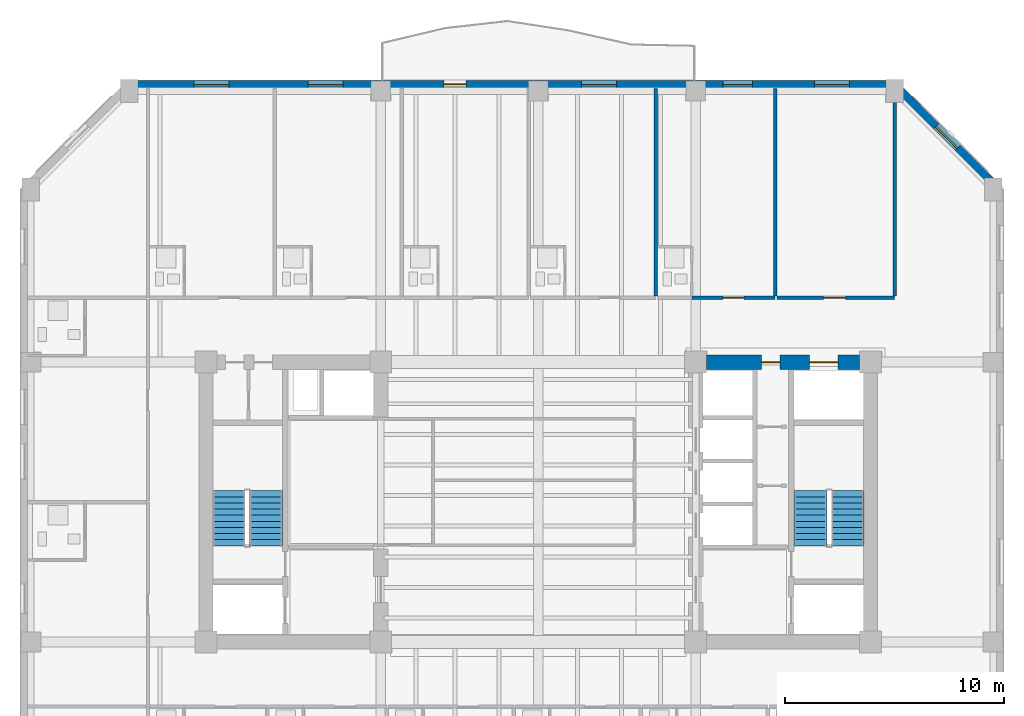
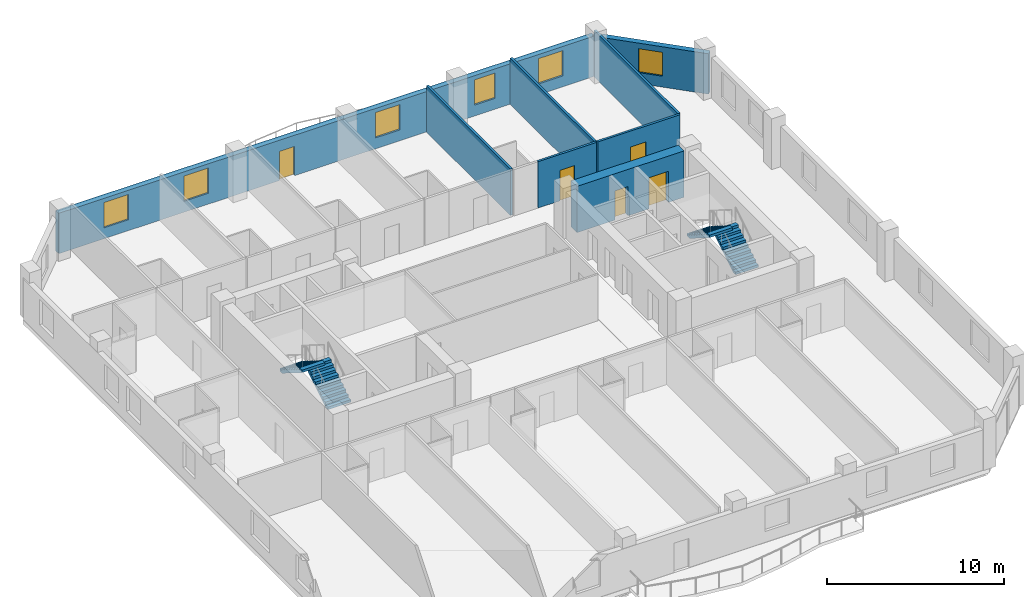
# One storey, part 6 of 11: 8 walls, 6 windows, 5 doors, 4 stair flights, 11 openings, 2 elements without a shape of their own.
"""IFC4 building model written with IfcOpenShell, lengths in metres."""

from ifc_helpers import new_model, si_unit, direction, frame, frame_2d, origin, place, context, subcontext, project, spatial, polyline, rectangle, outline, extrude, material, layer, layer_set, type_object, element, fill, aggregate, save


model = new_model("IFC4")

# Units and contexts
model_context = context("Model", 3, precision=1e-05, world=origin(), true_north=direction((0.0, 1.0)))
body_context = subcontext(model_context, "Body", "Model", "MODEL_VIEW")
ifc_project = project(units=[si_unit("LENGTHUNIT", "METRE"), si_unit("AREAUNIT", "SQUARE_METRE"), si_unit("VOLUMEUNIT", "CUBIC_METRE"), si_unit("PLANEANGLEUNIT", "RADIAN"), si_unit("MASSUNIT", "GRAM", prefix="KILO")], contexts=[model_context])

# Site, building, storey
site_placement = place(None, origin())
site = spatial("IfcSite", under=ifc_project, at=site_placement, CompositionType="ELEMENT")
building_placement = place(site_placement, origin())
building = spatial("IfcBuilding", under=site, at=building_placement, Name="Kranthara Brick Stack", CompositionType="ELEMENT")
storey_placement = place(building_placement, frame((0.0, 0.0, 134.300048828125)))
storey = spatial("IfcBuildingStorey", under=building, at=storey_placement, Name="L33", CompositionType="ELEMENT", Elevation=134.300048828125)

# Wall, openings, door, windows
ifc_material_1 = material(Name="Kiln-fired clay brick masonry M15", Category="masonry")
ifc_layer_1 = layer(ifc_material_1, 0.35009765625)
ifc_layer_set_1 = layer_set([ifc_layer_1], Name="Kiln-fired clay brick masonry M15")
wall_type_1 = type_object("IfcWallType", Name="WL-BRK-SPND-350", PredefinedType="STANDARD", material=ifc_layer_set_1)
wall_1_placement = place(storey_placement, frame((9.300048828125, 46.304931640625, 0.0), z_axis=(0.0, 0.0, 1.0), x_axis=(1.0, 0.0, 0.0)))
wall_1 = element("IfcWall", 1, at=wall_1_placement, inside=storey, type_object=wall_type_1, Name="L33 Exterior Brick Facade Wall NORTH 1", PredefinedType="STANDARD", context=body_context, shape_type="SweptSolid", body=[
    extrude(rectangle(XDim=35.0, YDim=0.35009765625, at=frame_2d((17.5, 0.0))), origin(), (0.0, 0.0, 1.0), 2.784912109375),
])
opening_1_placement = place(wall_1_placement, frame((14.39990234375, 0.0, 0.0)))
opening_1 = element("IfcOpeningElement", 2, at=opening_1_placement, cuts=wall_1, Name="Opening D03", PredefinedType="OPENING", context=body_context, shape_type="SweptSolid", body=[
    extrude(rectangle(XDim=1.0, YDim=2.02001953125, at=frame_2d((0.5, 1.010009765625))), frame((0.0, 0.18505859375, 0.0), z_axis=(0.0, -1.0, 0.0), x_axis=(1.0, 0.0, 0.0)), (0.0, 0.0, 1.0), 0.3701171875),
])
opening_2_placement = place(wall_1_placement, frame((2.952880859375, 0.0, 0.75)))
opening_2 = element("IfcOpeningElement", 3, at=opening_2_placement, cuts=wall_1, Name="Opening WN04", PredefinedType="OPENING", context=body_context, shape_type="SweptSolid", body=[
    extrude(rectangle(XDim=1.60009765625, YDim=1.75, at=frame_2d((0.800048828125, 0.875))), frame((0.0, 0.18505859375, 0.0), z_axis=(0.0, -1.0, 0.0), x_axis=(1.0, 0.0, 0.0)), (0.0, 0.0, 1.0), 0.3701171875),
])
opening_3_placement = place(wall_1_placement, frame((8.177978515625, 0.0, 0.75)))
opening_3 = element("IfcOpeningElement", 4, at=opening_3_placement, cuts=wall_1, Name="Opening WN04", PredefinedType="OPENING", context=body_context, shape_type="SweptSolid", body=[
    extrude(rectangle(XDim=1.60009765625, YDim=1.75, at=frame_2d((0.800048828125, 0.875))), frame((0.0, 0.18505859375, 0.0), z_axis=(0.0, -1.0, 0.0), x_axis=(1.0, 0.0, 0.0)), (0.0, 0.0, 1.0), 0.3701171875),
])
opening_4_placement = place(wall_1_placement, frame((20.68603515625, 0.0, 0.75)))
opening_4 = element("IfcOpeningElement", 5, at=opening_4_placement, cuts=wall_1, Name="Opening WN04", PredefinedType="OPENING", context=body_context, shape_type="SweptSolid", body=[
    extrude(rectangle(XDim=1.60009765625, YDim=1.75, at=frame_2d((0.800048828125, 0.875))), frame((0.0, 0.18505859375, 0.0), z_axis=(0.0, -1.0, 0.0), x_axis=(1.0, 0.0, 0.0)), (0.0, 0.0, 1.0), 0.3701171875),
])
opening_5_placement = place(wall_1_placement, frame((27.14306640625, 0.0, 0.75)))
opening_5 = element("IfcOpeningElement", 6, at=opening_5_placement, cuts=wall_1, Name="Opening WN06", PredefinedType="OPENING", context=body_context, shape_type="SweptSolid", body=[
    extrude(rectangle(XDim=1.35009765625, YDim=1.75, at=frame_2d((0.675048828125, 0.875))), frame((0.0, 0.18505859375, 0.0), z_axis=(0.0, -1.0, 0.0), x_axis=(1.0, 0.0, 0.0)), (0.0, 0.0, 1.0), 0.3701171875),
])
opening_6_placement = place(wall_1_placement, frame((31.330078125, 0.0, 0.75)))
opening_6 = element("IfcOpeningElement", 7, at=opening_6_placement, cuts=wall_1, Name="Opening WN04", PredefinedType="OPENING", context=body_context, shape_type="SweptSolid", body=[
    extrude(rectangle(XDim=1.60009765625, YDim=1.75, at=frame_2d((0.800048828125, 0.875))), frame((0.0, 0.18505859375, 0.0), z_axis=(0.0, -1.0, 0.0), x_axis=(1.0, 0.0, 0.0)), (0.0, 0.0, 1.0), 0.3701171875),
])
ifc_material_2 = material(Name="Bronze anodised aluminium and laminated glass", Category="aluminium")
door_type_1 = type_object("IfcDoorType", Name="DR-BALC-1000", OperationType="NOTDEFINED", PredefinedType="DOOR", material=ifc_material_2)
door_1_placement = place(opening_1_placement, origin())
door_1 = element("IfcDoor", 8, at=door_1_placement, inside=storey, type_object=door_type_1, Name="L33 North Balcony Terrace Door", OperationType="SINGLE_SWING_RIGHT", OverallHeight=2.02001953125, OverallWidth=1.0, PredefinedType="DOOR", context=body_context, shape_type="SweptSolid", body=[
    extrude(rectangle(XDim=1.0, YDim=2.02001953125, at=frame_2d((0.5, 1.010009765625))), frame((0.0, 0.02490234375, 0.0), z_axis=(0.0, -1.0, 0.0), x_axis=(1.0, 0.0, 0.0)), (0.0, 0.0, 1.0), 0.050048828125),
])
fill(opening_1, door_1)
ifc_material_3 = material(Name="Double-glazed low-E solar control glass", Category="glass")
window_type_1 = type_object("IfcWindowType", Name="WN-HTL-1350x1850", PartitioningType="SINGLE_PANEL", PredefinedType="WINDOW", material=ifc_material_3)
window_1_placement = place(opening_5_placement, origin())
window_1 = element("IfcWindow", 9, at=window_1_placement, inside=storey, type_object=window_type_1, Name="L33 North Deep-Set Brick Window 04", OverallHeight=1.75, OverallWidth=1.35009765625, PartitioningType="SINGLE_PANEL", PredefinedType="WINDOW", context=body_context, shape_type="SweptSolid", body=[
    extrude(rectangle(XDim=1.35009765625, YDim=1.75, at=frame_2d((0.675048828125, 0.875))), frame((0.0, -0.010009765625, 0.0), z_axis=(0.0, -1.0, 0.0), x_axis=(1.0, 0.0, 0.0)), (0.0, 0.0, 1.0), 0.06005859375),
])
fill(opening_5, window_1)
ifc_material_4 = material(Name="Double-glazed low-E solar control glass", Category="glass")
window_type_2 = type_object("IfcWindowType", Name="WN-HTL-1600x1850", PartitioningType="DOUBLE_PANEL_VERTICAL", PredefinedType="WINDOW", material=ifc_material_4)
window_2_placement = place(opening_2_placement, origin())
window_2 = element("IfcWindow", 10, at=window_2_placement, inside=storey, type_object=window_type_2, Name="L33 North Deep-Set Brick Window 01", OverallHeight=1.75, OverallWidth=1.60009765625, PartitioningType="SINGLE_PANEL", PredefinedType="WINDOW", context=body_context, shape_type="SweptSolid", body=[
    extrude(rectangle(XDim=1.60009765625, YDim=1.75, at=frame_2d((0.800048828125, 0.875))), frame((0.0, -0.010009765625, 0.0), z_axis=(0.0, -1.0, 0.0), x_axis=(1.0, 0.0, 0.0)), (0.0, 0.0, 1.0), 0.06005859375),
])
fill(opening_2, window_2)
window_3_placement = place(opening_3_placement, origin())
window_3 = element("IfcWindow", 11, at=window_3_placement, inside=storey, type_object=window_type_2, Name="L33 North Deep-Set Brick Window 02", OverallHeight=1.75, OverallWidth=1.60009765625, PartitioningType="SINGLE_PANEL", PredefinedType="WINDOW", context=body_context, shape_type="SweptSolid", body=[
    extrude(rectangle(XDim=1.60009765625, YDim=1.75, at=frame_2d((0.800048828125, 0.875))), frame((0.0, -0.010009765625, 0.0), z_axis=(0.0, -1.0, 0.0), x_axis=(1.0, 0.0, 0.0)), (0.0, 0.0, 1.0), 0.06005859375),
])
fill(opening_3, window_3)
window_4_placement = place(opening_4_placement, origin())
window_4 = element("IfcWindow", 12, at=window_4_placement, inside=storey, type_object=window_type_2, Name="L33 North Deep-Set Brick Window 03", OverallHeight=1.75, OverallWidth=1.60009765625, PartitioningType="SINGLE_PANEL", PredefinedType="WINDOW", context=body_context, shape_type="SweptSolid", body=[
    extrude(rectangle(XDim=1.60009765625, YDim=1.75, at=frame_2d((0.800048828125, 0.875))), frame((0.0, -0.010009765625, 0.0), z_axis=(0.0, -1.0, 0.0), x_axis=(1.0, 0.0, 0.0)), (0.0, 0.0, 1.0), 0.06005859375),
])
fill(opening_4, window_4)
window_5_placement = place(opening_6_placement, origin())
window_5 = element("IfcWindow", 13, at=window_5_placement, inside=storey, type_object=window_type_2, Name="L33 North Deep-Set Brick Window 05", OverallHeight=1.75, OverallWidth=1.60009765625, PartitioningType="SINGLE_PANEL", PredefinedType="WINDOW", context=body_context, shape_type="SweptSolid", body=[
    extrude(rectangle(XDim=1.60009765625, YDim=1.75, at=frame_2d((0.800048828125, 0.875))), frame((0.0, -0.010009765625, 0.0), z_axis=(0.0, -1.0, 0.0), x_axis=(1.0, 0.0, 0.0)), (0.0, 0.0, 1.0), 0.06005859375),
])
fill(opening_6, window_5)

# Wall, opening, window
wall_2_placement = place(storey_placement, frame((44.300048828125, 46.304931640625, 0.0), z_axis=(0.0, 0.0, 1.0), x_axis=(0.707106781187, -0.707106781187, 0.0)))
wall_2 = element("IfcWall", 14, at=wall_2_placement, inside=storey, type_object=wall_type_1, Name="L33 Exterior Brick Facade Wall NE 1", PredefinedType="STANDARD", context=body_context, shape_type="SweptSolid", body=[
    extrude(rectangle(XDim=6.795166015625, YDim=0.35009765625, at=frame_2d((3.3974609375, 0.0))), origin(), (0.0, 0.0, 1.0), 2.784912109375),
])
opening_7_placement = place(wall_2_placement, frame((2.697998046875, 0.0, 0.75)))
opening_7 = element("IfcOpeningElement", 15, at=opening_7_placement, cuts=wall_2, Name="Opening WN10", PredefinedType="OPENING", context=body_context, shape_type="SweptSolid", body=[
    extrude(rectangle(XDim=1.39990234375, YDim=1.64990234375, at=frame_2d((0.699951171875, 0.824951171875))), frame((0.0, 0.18505859375, 0.0), z_axis=(0.0, -1.0, 0.0), x_axis=(1.0, 0.0, 0.0)), (0.0, 0.0, 1.0), 0.3701171875),
])
ifc_material_5 = material(Name="Double-glazed low-E solar control glass", Category="glass")
window_type_3 = type_object("IfcWindowType", Name="WN-CHM-1400x1750", PartitioningType="SINGLE_PANEL", PredefinedType="WINDOW", material=ifc_material_5)
window_6_placement = place(opening_7_placement, origin())
window_6 = element("IfcWindow", 16, at=window_6_placement, inside=storey, type_object=window_type_3, Name="L33 NE Chamfer Corner Window", OverallHeight=1.64990234375, OverallWidth=1.39990234375, PartitioningType="SINGLE_PANEL", PredefinedType="WINDOW", context=body_context, shape_type="SweptSolid", body=[
    extrude(rectangle(XDim=1.39990234375, YDim=1.64990234375, at=frame_2d((0.699951171875, 0.824951171875))), frame((0.0, -0.010009765625, 0.0), z_axis=(0.0, -1.0, 0.0), x_axis=(1.0, 0.0, 0.0)), (0.0, 0.0, 1.0), 0.06005859375),
])
fill(opening_7, window_6)

# Wall, openings, doors
ifc_material_6 = material(Name="Concrete C60/75", Category="concrete")
ifc_layer_2 = layer(ifc_material_6, 0.64990234375)
ifc_layer_set_2 = layer_set([ifc_layer_2], Name="Concrete C60/75")
wall_type_2 = type_object("IfcWallType", Name="WL-CORE-650", PredefinedType="SHEAR", material=ifc_layer_set_2)
wall_3_placement = place(storey_placement, frame((35.705078125, 33.60009765625, 0.0), z_axis=(0.0, 0.0, 1.0), x_axis=(1.0, 0.0, 0.0)))
wall_3 = element("IfcWall", 17, at=wall_3_placement, inside=storey, type_object=wall_type_2, Name="L33 East Core Shear Wall North", PredefinedType="SHEAR", context=body_context, shape_type="SweptSolid", body=[
    extrude(rectangle(XDim=6.989990234375, YDim=0.64990234375, at=frame_2d((3.4951171875, 0.0))), origin(), (0.0, 0.0, 1.0), 3.199951171875),
])
opening_8_placement = place(wall_3_placement, frame((4.695068359375, 0.0, 0.0)))
opening_8 = element("IfcOpeningElement", 18, at=opening_8_placement, cuts=wall_3, Name="Opening LD03", PredefinedType="OPENING", context=body_context, shape_type="SweptSolid", body=[
    extrude(rectangle(XDim=1.300048828125, YDim=2.14990234375, at=frame_2d((0.64990234375, 1.074951171875))), frame((0.0, 0.3349609375, 0.0), z_axis=(0.0, -1.0, 0.0), x_axis=(1.0, 0.0, 0.0)), (0.0, 0.0, 1.0), 0.669921875),
])
opening_9_placement = place(wall_3_placement, frame((2.4951171875, 0.0, 0.0)))
opening_9 = element("IfcOpeningElement", 19, at=opening_9_placement, cuts=wall_3, Name="Opening D10", PredefinedType="OPENING", context=body_context, shape_type="SweptSolid", body=[
    extrude(rectangle(XDim=0.85009765625, YDim=2.02001953125, at=frame_2d((0.425048828125, 1.010009765625))), frame((0.0, 0.3349609375, 0.0), z_axis=(0.0, -1.0, 0.0), x_axis=(1.0, 0.0, 0.0)), (0.0, 0.0, 1.0), 0.669921875),
])
ifc_material_7 = material(Name="Stainless steel sliding landing door", Category="steel")
door_type_2 = type_object("IfcDoorType", Name="DR-LD-SV1300", OperationType="DOUBLE_DOOR_SLIDING", PredefinedType="DOOR", material=ifc_material_7)
door_2_placement = place(opening_8_placement, origin())
door_2 = element("IfcDoor", 20, at=door_2_placement, inside=storey, type_object=door_type_2, Name="L33 Stretcher Service Lift SV-01 Landing Door", OperationType="DOUBLE_DOOR_SLIDING", OverallHeight=2.14990234375, OverallWidth=1.300048828125, PredefinedType="DOOR", context=body_context, shape_type="SweptSolid", body=[
    extrude(rectangle(XDim=1.300048828125, YDim=2.14990234375, at=frame_2d((0.64990234375, 1.074951171875))), frame((0.0, 0.02490234375, 0.0), z_axis=(0.0, -1.0, 0.0), x_axis=(1.0, 0.0, 0.0)), (0.0, 0.0, 1.0), 0.050048828125),
])
fill(opening_8, door_2)
ifc_material_8 = material(Name="Solid-core hardwood timber leaf in steel frame", Category="steel")
door_type_3 = type_object("IfcDoorType", Name="DR-RSR-850", OperationType="NOTDEFINED", PredefinedType="DOOR", material=ifc_material_8)
door_3_placement = place(opening_9_placement, origin())
door_3 = element("IfcDoor", 21, at=door_3_placement, inside=storey, type_object=door_type_3, Name="L33 East Core Service Room Door", OperationType="SINGLE_SWING_LEFT", OverallHeight=2.02001953125, OverallWidth=0.85009765625, PredefinedType="DOOR", context=body_context, shape_type="SweptSolid", body=[
    extrude(rectangle(XDim=0.85009765625, YDim=2.02001953125, at=frame_2d((0.425048828125, 1.010009765625))), frame((0.0, 0.02490234375, 0.0), z_axis=(0.0, -1.0, 0.0), x_axis=(1.0, 0.0, 0.0)), (0.0, 0.0, 1.0), 0.050048828125),
])
fill(opening_9, door_3)

# Wall
ifc_material_9 = material(Name="Fire-rated gypsum board partition", Category="other")
ifc_layer_3 = layer(ifc_material_9, 0.14990234375)
ifc_layer_set_3 = layer_set([ifc_layer_3], Name="Fire-rated gypsum board partition")
wall_type_3 = type_object("IfcWallType", Name="WL-PART-150", PredefinedType="PARTITIONING", material=ifc_layer_set_3)
wall_4_placement = place(storey_placement, frame((33.3720703125, 36.6298828125, 0.0), z_axis=(0.0, 0.0, 1.0), x_axis=(0.0, 1.0, 0.0)))
element("IfcWall", 22, at=wall_4_placement, inside=storey, type_object=wall_type_3, Name="L33 Interior Partition 060", PredefinedType="PARTITIONING", context=body_context, shape_type="SweptSolid", body=[
    extrude(rectangle(XDim=9.4951171875, YDim=0.14990234375, at=frame_2d((4.74755859375, 0.0))), origin(), (0.0, 0.0, 1.0), 3.199951171875),
])

# Wall, opening, door
wall_5_placement = place(storey_placement, frame((35.02197265625, 36.550048828125, 0.0), z_axis=(0.0, 0.0, 1.0), x_axis=(1.0, 0.0, 0.0)))
wall_5 = element("IfcWall", 23, at=wall_5_placement, inside=storey, type_object=wall_type_3, Name="L33 Interior Partition 062", PredefinedType="PARTITIONING", context=body_context, shape_type="SweptSolid", body=[
    extrude(rectangle(XDim=3.81396484375, YDim=0.14990234375, at=frame_2d((1.906982421875, 0.0))), origin(), (0.0, 0.0, 1.0), 3.199951171875),
])
opening_10_placement = place(wall_5_placement, frame((1.427001953125, 0.0, 0.0)))
opening_10 = element("IfcOpeningElement", 24, at=opening_10_placement, cuts=wall_5, Name="Opening D09", PredefinedType="OPENING", context=body_context, shape_type="SweptSolid", body=[
    extrude(rectangle(XDim=0.949951171875, YDim=2.10009765625, at=frame_2d((0.47509765625, 1.050048828125))), frame((0.0, 0.0849609375, 0.0), z_axis=(0.0, -1.0, 0.0), x_axis=(1.0, 0.0, 0.0)), (0.0, 0.0, 1.0), 0.169921875),
])
ifc_material_10 = material(Name="Solid-core hardwood timber leaf in steel frame", Category="steel")
door_type_4 = type_object("IfcDoorType", Name="DR-FD-950", OperationType="NOTDEFINED", PredefinedType="DOOR", material=ifc_material_10)
door_4_placement = place(opening_10_placement, origin())
door_4 = element("IfcDoor", 25, at=door_4_placement, inside=storey, type_object=door_type_4, Name="L33 Key 11 Entry 28", OperationType="SINGLE_SWING_RIGHT", OverallHeight=2.10009765625, OverallWidth=0.949951171875, PredefinedType="DOOR", context=body_context, shape_type="SweptSolid", body=[
    extrude(rectangle(XDim=0.949951171875, YDim=2.10009765625, at=frame_2d((0.47509765625, 1.050048828125))), frame((0.0, 0.02490234375, 0.0), z_axis=(0.0, -1.0, 0.0), x_axis=(1.0, 0.0, 0.0)), (0.0, 0.0, 1.0), 0.050048828125),
])
fill(opening_10, door_4)

# Wall
wall_6_placement = place(storey_placement, frame((38.8359375, 36.6298828125, 0.0), z_axis=(0.0, 0.0, 1.0), x_axis=(0.0, 1.0, 0.0)))
element("IfcWall", 26, at=wall_6_placement, inside=storey, type_object=wall_type_3, Name="L33 Interior Partition 065", PredefinedType="PARTITIONING", context=body_context, shape_type="SweptSolid", body=[
    extrude(rectangle(XDim=9.4951171875, YDim=0.14990234375, at=frame_2d((4.74755859375, 0.0))), origin(), (0.0, 0.0, 1.0), 3.199951171875),
])

# Wall, opening, door
wall_7_placement = place(storey_placement, frame((38.916015625, 36.550048828125, 0.0), z_axis=(0.0, 0.0, 1.0), x_axis=(1.0, 0.0, 0.0)))
wall_7 = element("IfcWall", 27, at=wall_7_placement, inside=storey, type_object=wall_type_3, Name="L33 Interior Partition 066", PredefinedType="PARTITIONING", context=body_context, shape_type="SweptSolid", body=[
    extrude(rectangle(XDim=5.384033203125, YDim=0.14990234375, at=frame_2d((2.69189453125, 0.0))), origin(), (0.0, 0.0, 1.0), 3.199951171875),
])
opening_11_placement = place(wall_7_placement, frame((2.132080078125, 0.0, 0.0)))
opening_11 = element("IfcOpeningElement", 28, at=opening_11_placement, cuts=wall_7, Name="Opening D08", PredefinedType="OPENING", context=body_context, shape_type="SweptSolid", body=[
    extrude(rectangle(XDim=1.0, YDim=2.10009765625, at=frame_2d((0.5, 1.050048828125))), frame((0.0, 0.0849609375, 0.0), z_axis=(0.0, -1.0, 0.0), x_axis=(1.0, 0.0, 0.0)), (0.0, 0.0, 1.0), 0.169921875),
])
ifc_material_11 = material(Name="Solid-core hardwood timber leaf in steel frame", Category="steel")
door_type_5 = type_object("IfcDoorType", Name="DR-FD-1000", OperationType="NOTDEFINED", PredefinedType="DOOR", material=ifc_material_11)
door_5_placement = place(opening_11_placement, origin())
door_5 = element("IfcDoor", 29, at=door_5_placement, inside=storey, type_object=door_type_5, Name="L33 Guest Lounge 29", OperationType="SINGLE_SWING_LEFT", OverallHeight=2.10009765625, OverallWidth=1.0, PredefinedType="DOOR", context=body_context, shape_type="SweptSolid", body=[
    extrude(rectangle(XDim=1.0, YDim=2.10009765625, at=frame_2d((0.5, 1.050048828125))), frame((0.0, 0.02490234375, 0.0), z_axis=(0.0, -1.0, 0.0), x_axis=(1.0, 0.0, 0.0)), (0.0, 0.0, 1.0), 0.050048828125),
])
fill(opening_11, door_5)

# Wall
wall_8_placement = place(storey_placement, frame((44.300048828125, 36.6298828125, 0.0), z_axis=(0.0, 0.0, 1.0), x_axis=(0.0, 1.0, 0.0)))
element("IfcWall", 30, at=wall_8_placement, inside=storey, type_object=wall_type_3, Name="L33 Interior Partition 067", PredefinedType="PARTITIONING", context=body_context, shape_type="SweptSolid", body=[
    extrude(rectangle(XDim=9.4951171875, YDim=0.14990234375, at=frame_2d((4.74755859375, 0.0))), origin(), (0.0, 0.0, 1.0), 3.199951171875),
])

# Stair, stair flights
ifc_material_12 = material(Name="Concrete C45/55", Category="concrete")
stair_type = type_object("IfcStairType", Name="ST-CORE-20R", PredefinedType="HALF_TURN_STAIR", material=ifc_material_12)
stair_1_placement = place(storey_placement, origin())
stair_1 = element("IfcStair", 31, at=stair_1_placement, inside=storey, type_object=stair_type, Name="L33 West Core Protected Exit Stair ST01", PredefinedType="HALF_TURN_STAIR")
ifc_material_13 = material(Name="Concrete C45/55", Category="concrete")
stair_flight_type = type_object("IfcStairFlightType", Name="SFL-RC-20R", PredefinedType="STRAIGHT", material=ifc_material_13)
stair_flight_1_placement = place(storey_placement, frame((15.550048828125, 25.199951171875, 0.0), z_axis=(0.0, 0.0, 1.0), x_axis=(0.0, 1.0, 0.0)))
stair_flight_1 = element("IfcStairFlight", 32, at=stair_flight_1_placement, type_object=stair_flight_type, Name="ST01 flight 1", NumberOfRisers=10, NumberOfTreads=9, PredefinedType="STRAIGHT", RiserHeight=0.175, TreadLength=0.28, context=body_context, shape_type="SweptSolid", body=[
    extrude(outline(polyline([(0.0, 0.0), (0.0, 0.175048828125), (0.280029296875, 0.175048828125), (0.280029296875, 0.35009765625), (0.56005859375, 0.35009765625), (0.56005859375, 0.52490234375), (0.840087890625, 0.52490234375), (0.840087890625, 0.699951171875), (1.1201171875, 0.699951171875), (1.1201171875, 0.875), (1.39990234375, 0.875), (1.39990234375, 1.050048828125), (1.679931640625, 1.050048828125), (1.679931640625, 1.22509765625), (1.9599609375, 1.22509765625), (1.9599609375, 1.39990234375), (2.239990234375, 1.39990234375), (2.239990234375, 1.574951171875), (2.52001953125, 1.574951171875), (2.52001953125, 1.75), (2.52001953125, 1.398193359375), (0.28271484375, 0.0), (0.0, 0.0)])), frame((0.0, 0.75, 0.0), z_axis=(0.0, -1.0, 0.0), x_axis=(1.0, 0.0, 0.0)), (0.0, 0.0, 1.0), 1.5),
])
stair_flight_2_placement = place(storey_placement, frame((13.85009765625, 27.719970703125, 1.75), z_axis=(0.0, 0.0, 1.0), x_axis=(0.0, -1.0, 0.0)))
stair_flight_2 = element("IfcStairFlight", 33, at=stair_flight_2_placement, type_object=stair_flight_type, Name="ST01 flight 2", NumberOfRisers=10, NumberOfTreads=9, PredefinedType="STRAIGHT", RiserHeight=0.175, TreadLength=0.28, context=body_context, shape_type="SweptSolid", body=[
    extrude(outline(polyline([(0.0, 0.0), (0.0, 0.175048828125), (0.280029296875, 0.175048828125), (0.280029296875, 0.35009765625), (0.56005859375, 0.35009765625), (0.56005859375, 0.52490234375), (0.840087890625, 0.52490234375), (0.840087890625, 0.699951171875), (1.1201171875, 0.699951171875), (1.1201171875, 0.875), (1.39990234375, 0.875), (1.39990234375, 1.050048828125), (1.679931640625, 1.050048828125), (1.679931640625, 1.22509765625), (1.9599609375, 1.22509765625), (1.9599609375, 1.39990234375), (2.239990234375, 1.39990234375), (2.239990234375, 1.574951171875), (2.52001953125, 1.574951171875), (2.52001953125, 1.75), (2.52001953125, 1.398193359375), (0.28271484375, 0.0), (0.0, 0.0)])), frame((0.0, 0.75, 0.0), z_axis=(0.0, -1.0, 0.0), x_axis=(1.0, 0.0, 0.0)), (0.0, 0.0, 1.0), 1.5),
])
aggregate(stair_1, [stair_flight_1, stair_flight_2])

stair_2_placement = place(storey_placement, origin())
stair_2 = element("IfcStair", 34, at=stair_2_placement, inside=storey, type_object=stair_type, Name="L33 East Core Protected Exit Stair ST02", PredefinedType="HALF_TURN_STAIR")
stair_flight_3_placement = place(storey_placement, frame((42.14990234375, 25.199951171875, 0.0), z_axis=(0.0, 0.0, 1.0), x_axis=(0.0, 1.0, 0.0)))
stair_flight_3 = element("IfcStairFlight", 35, at=stair_flight_3_placement, type_object=stair_flight_type, Name="ST02 flight 1", NumberOfRisers=10, NumberOfTreads=9, PredefinedType="STRAIGHT", RiserHeight=0.175, TreadLength=0.28, context=body_context, shape_type="SweptSolid", body=[
    extrude(outline(polyline([(0.0, 0.0), (0.0, 0.175048828125), (0.280029296875, 0.175048828125), (0.280029296875, 0.35009765625), (0.56005859375, 0.35009765625), (0.56005859375, 0.52490234375), (0.840087890625, 0.52490234375), (0.840087890625, 0.699951171875), (1.1201171875, 0.699951171875), (1.1201171875, 0.875), (1.39990234375, 0.875), (1.39990234375, 1.050048828125), (1.679931640625, 1.050048828125), (1.679931640625, 1.22509765625), (1.9599609375, 1.22509765625), (1.9599609375, 1.39990234375), (2.239990234375, 1.39990234375), (2.239990234375, 1.574951171875), (2.52001953125, 1.574951171875), (2.52001953125, 1.75), (2.52001953125, 1.398193359375), (0.28271484375, 0.0), (0.0, 0.0)])), frame((0.0, 0.75, 0.0), z_axis=(0.0, -1.0, 0.0), x_axis=(1.0, 0.0, 0.0)), (0.0, 0.0, 1.0), 1.5),
])
stair_flight_4_placement = place(storey_placement, frame((40.449951171875, 27.719970703125, 1.75), z_axis=(0.0, 0.0, 1.0), x_axis=(0.0, -1.0, 0.0)))
stair_flight_4 = element("IfcStairFlight", 36, at=stair_flight_4_placement, type_object=stair_flight_type, Name="ST02 flight 2", NumberOfRisers=10, NumberOfTreads=9, PredefinedType="STRAIGHT", RiserHeight=0.175, TreadLength=0.28, context=body_context, shape_type="SweptSolid", body=[
    extrude(outline(polyline([(0.0, 0.0), (0.0, 0.175048828125), (0.280029296875, 0.175048828125), (0.280029296875, 0.35009765625), (0.56005859375, 0.35009765625), (0.56005859375, 0.52490234375), (0.840087890625, 0.52490234375), (0.840087890625, 0.699951171875), (1.1201171875, 0.699951171875), (1.1201171875, 0.875), (1.39990234375, 0.875), (1.39990234375, 1.050048828125), (1.679931640625, 1.050048828125), (1.679931640625, 1.22509765625), (1.9599609375, 1.22509765625), (1.9599609375, 1.39990234375), (2.239990234375, 1.39990234375), (2.239990234375, 1.574951171875), (2.52001953125, 1.574951171875), (2.52001953125, 1.75), (2.52001953125, 1.398193359375), (0.28271484375, 0.0), (0.0, 0.0)])), frame((0.0, 0.75, 0.0), z_axis=(0.0, -1.0, 0.0), x_axis=(1.0, 0.0, 0.0)), (0.0, 0.0, 1.0), 1.5),
])
aggregate(stair_2, [stair_flight_3, stair_flight_4])

save(model, "model.ifc")
